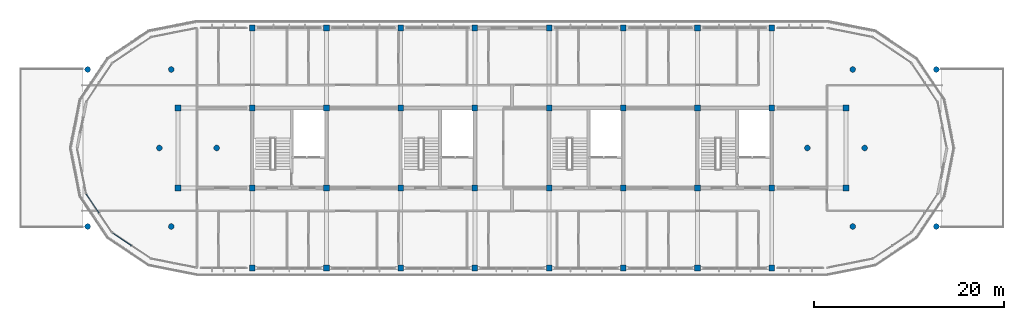
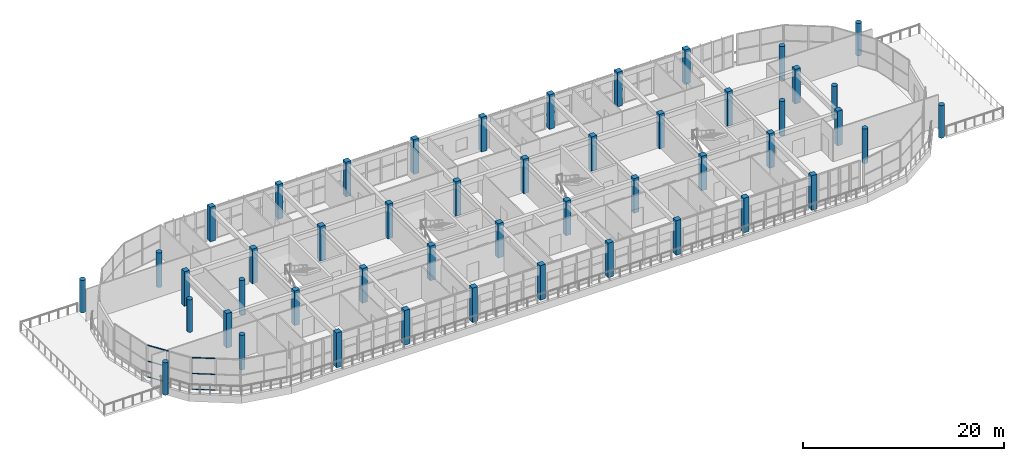
# One storey, part 1 of 50: 48 columns, 6 members, 2 elements without a shape of their own.
"""IFC4 building model written with IfcOpenShell, lengths in metres."""

from ifc_helpers import new_model, si_unit, direction, frame, origin, origin_2d, place, context, subcontext, project, spatial, rectangle, hollow_rectangle, circle, extrude, material, layer, layer_set, material_profile, profile_set, type_object, element, aggregate, save


model = new_model("IFC4")

# Units and contexts
model_context = context("Model", 3, precision=1e-05, world=origin(), true_north=direction((0.0, 1.0)))
body_context = subcontext(model_context, "Body", "Model", "MODEL_VIEW")
ifc_project = project(units=[si_unit("LENGTHUNIT", "METRE"), si_unit("AREAUNIT", "SQUARE_METRE"), si_unit("VOLUMEUNIT", "CUBIC_METRE"), si_unit("PLANEANGLEUNIT", "RADIAN"), si_unit("MASSUNIT", "GRAM", prefix="KILO")], contexts=[model_context])

# Site, building, storey
site_placement = place(None, origin())
site = spatial("IfcSite", under=ifc_project, at=site_placement, CompositionType="ELEMENT")
building_placement = place(site_placement, origin())
building = spatial("IfcBuilding", under=site, at=building_placement, Name="Zizhar Promenade General Hospital", CompositionType="ELEMENT")
storey_placement = place(building_placement, frame((0.0, 0.0, 30.60009765625)))
storey = spatial("IfcBuildingStorey", under=building, at=storey_placement, Name="L07", CompositionType="ELEMENT", Elevation=30.60009765625)

# Columns
ifc_material_1 = material(Name="Concrete C40/50", Category="concrete")
ifc_material_profile_1 = material_profile(ifc_material_1, circle(Radius=0.300048828125, at=origin_2d()))
ifc_profile_set_1 = profile_set([ifc_material_profile_1], Name="Concrete C40/50")
column_type_1 = type_object("IfcColumnType", Name="COL-CIRC-600", PredefinedType="PILASTER", material=ifc_profile_set_1)
for number, where, z_axis, x_axis, name in (
    (1, (29.5, 4.35009765625, 0.0), (0.0, 0.0, 1.0), (1.0, 0.0, 0.0), "Ward Terrace Interior Support Column L08-W0 (L07)"),
    (2, (29.5, 20.85009765625, 0.0), (0.0, 0.0, 1.0), (1.0, 0.0, 0.0), "Ward Terrace Interior Support Column L08-W1 (L07)"),
    (3, (37.050048828125, 12.60009765625, 0.0), (0.0, 0.0, 1.0), (1.0, 0.0, 0.0), "Ward Terrace Interior Support Column L08-W2 (L07)"),
    (4, (118.699951171875, 4.35009765625, 0.0), (0.0, 0.0, 1.0), (1.0, 0.0, 0.0), "Ward Terrace Interior Support Column L08-E0 (L07)"),
    (5, (118.699951171875, 20.85009765625, 0.0), (0.0, 0.0, 1.0), (1.0, 0.0, 0.0), "Ward Terrace Interior Support Column L08-E1 (L07)"),
    (6, (111.14990234375, 12.60009765625, 0.0), (0.0, 0.0, 1.0), (1.0, 0.0, 0.0), "Ward Terrace Interior Support Column L08-E2 (L07)"),
):
    element("IfcColumn", number, at=place(storey_placement, frame(where, z_axis=z_axis, x_axis=x_axis)), inside=storey, type_object=column_type_1, Name=name, PredefinedType="PILASTER", context=body_context, shape_type="SweptSolid", body=[
        extrude(circle(Radius=0.300048828125, at=origin_2d()), origin(), (0.0, 0.0, 1.0), 3.949951171875),
    ])
for number, where, z_axis, x_axis, name in (
    (7, (38.300048828125, 4.35009765625, 0.0), (0.0, 0.0, 1.0), (1.0, 0.0, 0.0), "Ward Terrace Interior Support Column L09-W0 (L07)"),
    (8, (38.300048828125, 20.85009765625, 0.0), (0.0, 0.0, 1.0), (1.0, 0.0, 0.0), "Ward Terrace Interior Support Column L09-W1 (L07)"),
    (9, (43.050048828125, 12.60009765625, 0.0), (0.0, 0.0, 1.0), (1.0, 0.0, 0.0), "Ward Terrace Interior Support Column L09-W2 (L07)"),
    (10, (109.89990234375, 4.35009765625, 0.0), (0.0, 0.0, 1.0), (1.0, 0.0, 0.0), "Ward Terrace Interior Support Column L09-E0 (L07)"),
    (11, (109.89990234375, 20.85009765625, 0.0), (0.0, 0.0, 1.0), (1.0, 0.0, 0.0), "Ward Terrace Interior Support Column L09-E1 (L07)"),
    (12, (105.14990234375, 12.60009765625, 0.0), (0.0, 0.0, 1.0), (1.0, 0.0, 0.0), "Ward Terrace Interior Support Column L09-E2 (L07)"),
):
    element("IfcColumn", number, at=place(storey_placement, frame(where, z_axis=z_axis, x_axis=x_axis)), inside=storey, type_object=column_type_1, Name=name, PredefinedType="PILASTER", context=body_context, shape_type="SweptSolid", body=[
        extrude(circle(Radius=0.300048828125, at=origin_2d()), origin(), (0.0, 0.0, 1.0), 4.199951171875),
    ])
ifc_material_2 = material(Name="Concrete C40/50", Category="concrete")
ifc_material_profile_2 = material_profile(ifc_material_2, rectangle(XDim=0.60009765625, YDim=0.60009765625, at=origin_2d()))
ifc_profile_set_2 = profile_set([ifc_material_profile_2], Name="Concrete C40/50")
column_type_2 = type_object("IfcColumnType", Name="COL-RC-600", PredefinedType="COLUMN", material=ifc_profile_set_2)
for number, where, z_axis, x_axis, name in (
    (13, (39.0, 8.39990234375, 0.0), (0.0, 0.0, 1.0), (1.0, 0.0, 0.0), "Column 6-B (L07)"),
    (14, (39.0, 16.800048828125, 0.0), (0.0, 0.0, 1.0), (1.0, 0.0, 0.0), "Column 6-C (L07)"),
    (15, (46.800048828125, 0.0, 0.0), (0.0, 0.0, 1.0), (1.0, 0.0, 0.0), "Column 7-A (L07)"),
    (16, (46.800048828125, 8.39990234375, 0.0), (0.0, 0.0, 1.0), (1.0, 0.0, 0.0), "Column 7-B (L07)"),
    (17, (46.800048828125, 16.800048828125, 0.0), (0.0, 0.0, 1.0), (1.0, 0.0, 0.0), "Column 7-C (L07)"),
    (18, (46.800048828125, 25.199951171875, 0.0), (0.0, 0.0, 1.0), (1.0, 0.0, 0.0), "Column 7-D (L07)"),
    (19, (54.60009765625, 0.0, 0.0), (0.0, 0.0, 1.0), (1.0, 0.0, 0.0), "Column 8-A (L07)"),
    (20, (54.60009765625, 8.39990234375, 0.0), (0.0, 0.0, 1.0), (1.0, 0.0, 0.0), "Column 8-B (L07)"),
    (21, (54.60009765625, 16.800048828125, 0.0), (0.0, 0.0, 1.0), (1.0, 0.0, 0.0), "Column 8-C (L07)"),
    (22, (54.60009765625, 25.199951171875, 0.0), (0.0, 0.0, 1.0), (1.0, 0.0, 0.0), "Column 8-D (L07)"),
    (23, (62.39990234375, 0.0, 0.0), (0.0, 0.0, 1.0), (1.0, 0.0, 0.0), "Column 9-A (L07)"),
    (24, (62.39990234375, 8.39990234375, 0.0), (0.0, 0.0, 1.0), (1.0, 0.0, 0.0), "Column 9-B (L07)"),
    (25, (62.39990234375, 16.800048828125, 0.0), (0.0, 0.0, 1.0), (1.0, 0.0, 0.0), "Column 9-C (L07)"),
    (26, (62.39990234375, 25.199951171875, 0.0), (0.0, 0.0, 1.0), (1.0, 0.0, 0.0), "Column 9-D (L07)"),
    (27, (70.199951171875, 0.0, 0.0), (0.0, 0.0, 1.0), (1.0, 0.0, 0.0), "Column 10-A (L07)"),
    (28, (70.199951171875, 8.39990234375, 0.0), (0.0, 0.0, 1.0), (1.0, 0.0, 0.0), "Column 10-B (L07)"),
    (29, (70.199951171875, 16.800048828125, 0.0), (0.0, 0.0, 1.0), (1.0, 0.0, 0.0), "Column 10-C (L07)"),
    (30, (70.199951171875, 25.199951171875, 0.0), (0.0, 0.0, 1.0), (1.0, 0.0, 0.0), "Column 10-D (L07)"),
    (31, (78.0, 0.0, 0.0), (0.0, 0.0, 1.0), (1.0, 0.0, 0.0), "Column 11-A (L07)"),
    (32, (78.0, 8.39990234375, 0.0), (0.0, 0.0, 1.0), (1.0, 0.0, 0.0), "Column 11-B (L07)"),
    (33, (78.0, 16.800048828125, 0.0), (0.0, 0.0, 1.0), (1.0, 0.0, 0.0), "Column 11-C (L07)"),
    (34, (78.0, 25.199951171875, 0.0), (0.0, 0.0, 1.0), (1.0, 0.0, 0.0), "Column 11-D (L07)"),
    (35, (85.800048828125, 0.0, 0.0), (0.0, 0.0, 1.0), (1.0, 0.0, 0.0), "Column 12-A (L07)"),
    (36, (85.800048828125, 8.39990234375, 0.0), (0.0, 0.0, 1.0), (1.0, 0.0, 0.0), "Column 12-B (L07)"),
    (37, (85.800048828125, 16.800048828125, 0.0), (0.0, 0.0, 1.0), (1.0, 0.0, 0.0), "Column 12-C (L07)"),
    (38, (85.800048828125, 25.199951171875, 0.0), (0.0, 0.0, 1.0), (1.0, 0.0, 0.0), "Column 12-D (L07)"),
    (39, (93.60009765625, 0.0, 0.0), (0.0, 0.0, 1.0), (1.0, 0.0, 0.0), "Column 13-A (L07)"),
    (40, (93.60009765625, 8.39990234375, 0.0), (0.0, 0.0, 1.0), (1.0, 0.0, 0.0), "Column 13-B (L07)"),
    (41, (93.60009765625, 16.800048828125, 0.0), (0.0, 0.0, 1.0), (1.0, 0.0, 0.0), "Column 13-C (L07)"),
    (42, (93.60009765625, 25.199951171875, 0.0), (0.0, 0.0, 1.0), (1.0, 0.0, 0.0), "Column 13-D (L07)"),
    (43, (101.39990234375, 0.0, 0.0), (0.0, 0.0, 1.0), (1.0, 0.0, 0.0), "Column 14-A (L07)"),
    (44, (101.39990234375, 8.39990234375, 0.0), (0.0, 0.0, 1.0), (1.0, 0.0, 0.0), "Column 14-B (L07)"),
    (45, (101.39990234375, 16.800048828125, 0.0), (0.0, 0.0, 1.0), (1.0, 0.0, 0.0), "Column 14-C (L07)"),
    (46, (101.39990234375, 25.199951171875, 0.0), (0.0, 0.0, 1.0), (1.0, 0.0, 0.0), "Column 14-D (L07)"),
    (47, (109.199951171875, 8.39990234375, 0.0), (0.0, 0.0, 1.0), (1.0, 0.0, 0.0), "Column 15-B (L07)"),
    (48, (109.199951171875, 16.800048828125, 0.0), (0.0, 0.0, 1.0), (1.0, 0.0, 0.0), "Column 15-C (L07)"),
):
    element("IfcColumn", number, at=place(storey_placement, frame(where, z_axis=z_axis, x_axis=x_axis)), inside=storey, type_object=column_type_2, Name=name, PredefinedType="COLUMN", context=body_context, shape_type="SweptSolid", body=[
        extrude(rectangle(XDim=0.60009765625, YDim=0.60009765625, at=origin_2d()), origin(), (0.0, 0.0, 1.0), 4.199951171875),
    ])

# Curtain wall, members
ifc_material_3 = material(Name="Anodised aluminium 6063-T6 and low-E glass", Category="aluminium")
ifc_layer = layer(ifc_material_3, 0.159912109375)
ifc_layer_set = layer_set([ifc_layer], Name="Anodised aluminium 6063-T6 and low-E glass")
curtain_wall_type = type_object("IfcCurtainWallType", Name="CW-WARD-ARC", PredefinedType="NOTDEFINED", material=ifc_layer_set)
curtain_wall_1_placement = place(storey_placement, origin())
curtain_wall_1 = element("IfcCurtainWall", 49, at=curtain_wall_1_placement, inside=storey, type_object=curtain_wall_type, Name="Ward Semicircular End Glazing L07-15", PredefinedType="NOTDEFINED")
ifc_material_4 = material(Name="Anodised aluminium 6063-T6", Category="aluminium")
ifc_material_profile_3 = material_profile(ifc_material_4, hollow_rectangle(XDim=0.06005859375, YDim=0.1201171875, WallThickness=0.00390625, at=origin_2d()))
ifc_profile_set_3 = profile_set([ifc_material_profile_3], Name="Anodised aluminium 6063-T6")
member_type = type_object("IfcMemberType", Name="CWT-ALU-120x60", PredefinedType="USERDEFINED", material=ifc_profile_set_3)
member_1_placement = place(storey_placement, frame((30.708251953125, 5.75927734375, 0.02978515625), z_axis=(-0.555651427164, 0.831415354375, 0.0), x_axis=(-0.831415354375, -0.555651427164, 0.0)))
member_1 = element("IfcMember", 50, at=member_1_placement, type_object=member_type, Name="CW-12 transom 2.1", ObjectType="TRANSOM", PredefinedType="USERDEFINED", context=body_context, shape_type="SweptSolid", body=[
    extrude(hollow_rectangle(XDim=0.06005859375, YDim=0.1201171875, WallThickness=0.00390625, at=origin_2d()), origin(), (0.0, 0.0, 1.0), 2.3681640625),
])
member_2_placement = place(storey_placement, frame((30.708251953125, 5.75927734375, 1.949951171875), z_axis=(-0.555651427164, 0.831415354375, 0.0), x_axis=(-0.831415354375, -0.555651427164, 0.0)))
member_2 = element("IfcMember", 51, at=member_2_placement, type_object=member_type, Name="CW-12 transom 2.2", ObjectType="TRANSOM", PredefinedType="USERDEFINED", context=body_context, shape_type="SweptSolid", body=[
    extrude(hollow_rectangle(XDim=0.06005859375, YDim=0.1201171875, WallThickness=0.00390625, at=origin_2d()), origin(), (0.0, 0.0, 1.0), 2.3681640625),
])
member_3_placement = place(storey_placement, frame((30.708251953125, 5.75927734375, 3.869873046875), z_axis=(-0.555651427164, 0.831415354375, 0.0), x_axis=(-0.831415354375, -0.555651427164, 0.0)))
member_3 = element("IfcMember", 52, at=member_3_placement, type_object=member_type, Name="CW-12 transom 2.3", ObjectType="TRANSOM", PredefinedType="USERDEFINED", context=body_context, shape_type="SweptSolid", body=[
    extrude(hollow_rectangle(XDim=0.06005859375, YDim=0.1201171875, WallThickness=0.00390625, at=origin_2d()), origin(), (0.0, 0.0, 1.0), 2.3681640625),
])
aggregate(curtain_wall_1, [member_1, member_2, member_3])

curtain_wall_2_placement = place(storey_placement, origin())
curtain_wall_2 = element("IfcCurtainWall", 53, at=curtain_wall_2_placement, inside=storey, type_object=curtain_wall_type, Name="Ward Semicircular End Glazing L07-16", PredefinedType="NOTDEFINED")
member_4_placement = place(storey_placement, frame((34.109375, 2.341552734375, 0.02978515625), z_axis=(-0.831462978956, 0.555580160396, 0.0), x_axis=(-0.555580160396, -0.831462978956, 0.0)))
member_4 = element("IfcMember", 54, at=member_4_placement, type_object=member_type, Name="CW-12 transom 2.1", ObjectType="TRANSOM", PredefinedType="USERDEFINED", context=body_context, shape_type="SweptSolid", body=[
    extrude(hollow_rectangle(XDim=0.06005859375, YDim=0.1201171875, WallThickness=0.00390625, at=origin_2d()), origin(), (0.0, 0.0, 1.0), 2.3681640625),
])
member_5_placement = place(storey_placement, frame((34.109375, 2.341552734375, 1.949951171875), z_axis=(-0.831462978956, 0.555580160396, 0.0), x_axis=(-0.555580160396, -0.831462978956, 0.0)))
member_5 = element("IfcMember", 55, at=member_5_placement, type_object=member_type, Name="CW-12 transom 2.2", ObjectType="TRANSOM", PredefinedType="USERDEFINED", context=body_context, shape_type="SweptSolid", body=[
    extrude(hollow_rectangle(XDim=0.06005859375, YDim=0.1201171875, WallThickness=0.00390625, at=origin_2d()), origin(), (0.0, 0.0, 1.0), 2.3681640625),
])
member_6_placement = place(storey_placement, frame((34.109375, 2.341552734375, 3.869873046875), z_axis=(-0.831462978956, 0.555580160396, 0.0), x_axis=(-0.555580160396, -0.831462978956, 0.0)))
member_6 = element("IfcMember", 56, at=member_6_placement, type_object=member_type, Name="CW-12 transom 2.3", ObjectType="TRANSOM", PredefinedType="USERDEFINED", context=body_context, shape_type="SweptSolid", body=[
    extrude(hollow_rectangle(XDim=0.06005859375, YDim=0.1201171875, WallThickness=0.00390625, at=origin_2d()), origin(), (0.0, 0.0, 1.0), 2.3681640625),
])
aggregate(curtain_wall_2, [member_4, member_5, member_6])

save(model, "model.ifc")
